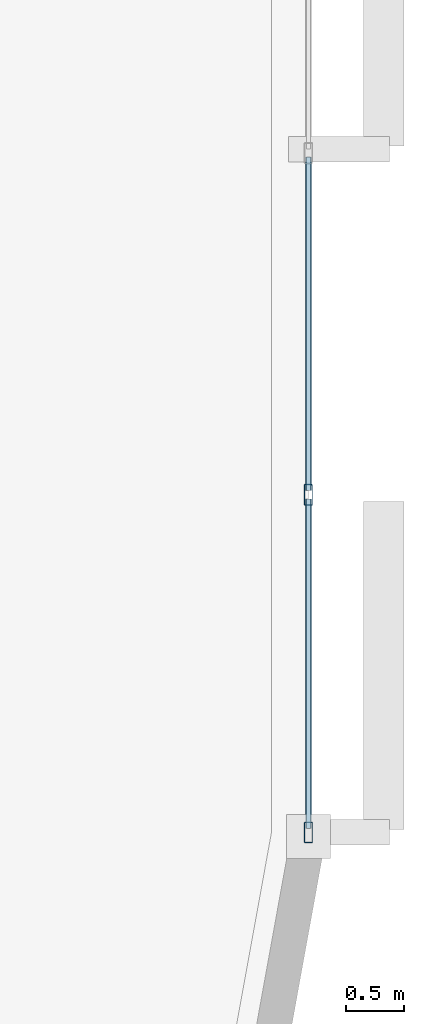
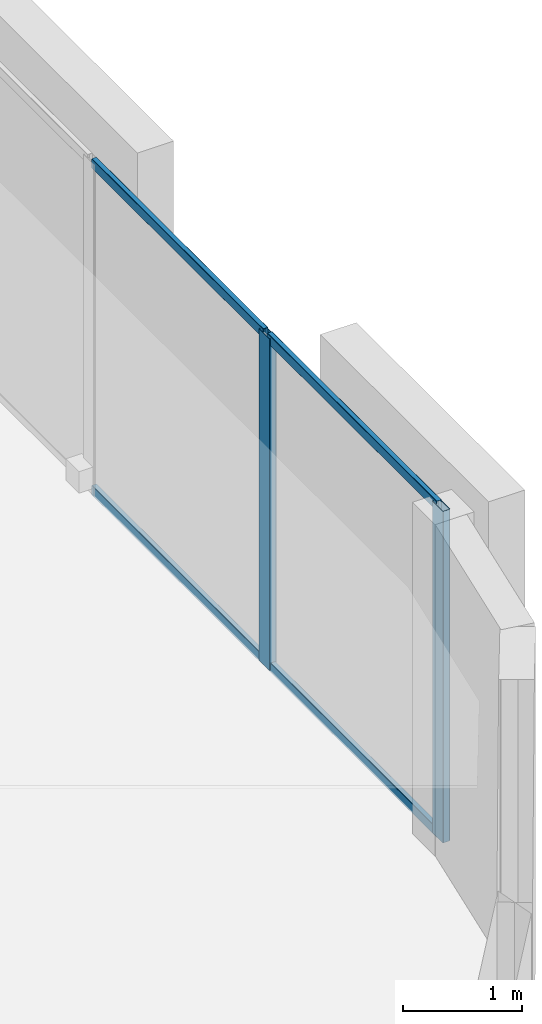
# One storey, part 4 of 13: 6 members, 1 element without a shape of its own.
"""IFC4 building model written with IfcOpenShell, lengths in metres."""

from ifc_helpers import new_model, si_unit, direction, frame, origin, origin_2d, place, context, subcontext, project, spatial, hollow_rectangle, extrude, material, layer, layer_set, material_profile, profile_set, type_object, element, aggregate, save


model = new_model("IFC4")

# Units and contexts
model_context = context("Model", 3, precision=1e-05, world=origin(), true_north=direction((0.0, 1.0)))
body_context = subcontext(model_context, "Body", "Model", "MODEL_VIEW")
ifc_project = project(units=[si_unit("LENGTHUNIT", "METRE"), si_unit("AREAUNIT", "SQUARE_METRE"), si_unit("VOLUMEUNIT", "CUBIC_METRE"), si_unit("PLANEANGLEUNIT", "RADIAN"), si_unit("MASSUNIT", "GRAM", prefix="KILO")], contexts=[model_context])

# Site, building, storey
site_placement = place(None, origin())
site = spatial("IfcSite", under=ifc_project, at=site_placement, CompositionType="ELEMENT")
building_placement = place(site_placement, origin())
building = spatial("IfcBuilding", under=site, at=building_placement, Name="An Khanh Terracotta Commons", CompositionType="ELEMENT")
storey_placement = place(building_placement, frame((0.0, 0.0, 237.300048828125)))
storey = spatial("IfcBuildingStorey", under=building, at=storey_placement, Name="L62", CompositionType="ELEMENT", Elevation=237.300048828125)

# Curtain wall, members
ifc_material = material(Name="Anodised Aluminium 6063-T6", Category="aluminium")
ifc_layer = layer(ifc_material, 0.2099609375, Name="Anodised Aluminium 6063-T6")
ifc_layer_set = layer_set([ifc_layer], Name="Anodised Aluminium 6063-T6")
curtain_wall_type = type_object("IfcCurtainWallType", Name="CW-SYS-03", PredefinedType="USERDEFINED", material=ifc_layer_set)
curtain_wall_placement = place(storey_placement, origin())
curtain_wall = element("IfcCurtainWall", 1, at=curtain_wall_placement, inside=storey, type_object=curtain_wall_type, Name="L62 CW-03 Unitised Curtain Wall CW-L62-12", ObjectType="UNITISED CURTAIN WALL", PredefinedType="USERDEFINED")
ifc_material_profile_1 = material_profile(ifc_material, hollow_rectangle(XDim=0.070068359375, YDim=0.179931640625, WallThickness=0.00390625, InnerFilletRadius=0.00390625, OuterFilletRadius=0.008056640625, at=origin_2d()), Name="RHS180x70x4")
ifc_profile_set_1 = profile_set([ifc_material_profile_1], Name="Anodised Aluminium 6063-T6")
member_type_1 = type_object("IfcMemberType", Name="CWM-RHS180x70x4", PredefinedType="MULLION", material=ifc_profile_set_1)
member_1_placement = place(storey_placement, frame((68.60009765625, 18.135986328125, 0.0), z_axis=(0.0, 0.0, 1.0), x_axis=(-1.0, 0.0, 0.0)))
member_1 = element("IfcMember", 2, at=member_1_placement, type_object=member_type_1, Name="CW-03 mullion 1", PredefinedType="MULLION", context=body_context, shape_type="SweptSolid", body=[
    extrude(hollow_rectangle(XDim=0.070068359375, YDim=0.179931640625, WallThickness=0.00390625, InnerFilletRadius=0.00390625, OuterFilletRadius=0.008056640625, at=origin_2d()), origin(), (0.0, 0.0, 1.0), 3.39990234375),
])
member_2_placement = place(storey_placement, frame((68.60009765625, 21.050537109375, 0.0), z_axis=(0.0, 0.0, 1.0), x_axis=(-1.0, 0.0, 0.0)))
member_2 = element("IfcMember", 3, at=member_2_placement, type_object=member_type_1, Name="CW-03 mullion 2", PredefinedType="MULLION", context=body_context, shape_type="SweptSolid", body=[
    extrude(hollow_rectangle(XDim=0.070068359375, YDim=0.179931640625, WallThickness=0.00390625, InnerFilletRadius=0.00390625, OuterFilletRadius=0.008056640625, at=origin_2d()), origin(), (0.0, 0.0, 1.0), 3.39990234375),
])
ifc_material_profile_2 = material_profile(ifc_material, hollow_rectangle(XDim=0.050048828125, YDim=0.10009765625, WallThickness=0.003173828125, InnerFilletRadius=0.003173828125, OuterFilletRadius=0.00634765625, at=origin_2d()), Name="RHS100x50x3.2")
ifc_profile_set_2 = profile_set([ifc_material_profile_2], Name="Anodised Aluminium 6063-T6")
member_type_2 = type_object("IfcMemberType", Name="CWT-RHS100x50x3.2", PredefinedType="USERDEFINED", material=ifc_profile_set_2)
member_3_placement = place(storey_placement, frame((68.60009765625, 18.1708984375, 0.02490234375), z_axis=(0.0, 1.0, 0.0), x_axis=(-1.0, 0.0, 0.0)))
member_3 = element("IfcMember", 4, at=member_3_placement, type_object=member_type_2, Name="CW-03 transom 1.1", ObjectType="TRANSOM", PredefinedType="USERDEFINED", context=body_context, shape_type="SweptSolid", body=[
    extrude(hollow_rectangle(XDim=0.050048828125, YDim=0.10009765625, WallThickness=0.003173828125, InnerFilletRadius=0.003173828125, OuterFilletRadius=0.00634765625, at=origin_2d()), origin(), (0.0, 0.0, 1.0), 2.844482421875),
])
member_4_placement = place(storey_placement, frame((68.60009765625, 18.1708984375, 3.375), z_axis=(0.0, 1.0, 0.0), x_axis=(-1.0, 0.0, 0.0)))
member_4 = element("IfcMember", 5, at=member_4_placement, type_object=member_type_2, Name="CW-03 transom 1.2", ObjectType="TRANSOM", PredefinedType="USERDEFINED", context=body_context, shape_type="SweptSolid", body=[
    extrude(hollow_rectangle(XDim=0.050048828125, YDim=0.10009765625, WallThickness=0.003173828125, InnerFilletRadius=0.003173828125, OuterFilletRadius=0.00634765625, at=origin_2d()), origin(), (0.0, 0.0, 1.0), 2.844482421875),
])
member_5_placement = place(storey_placement, frame((68.60009765625, 21.08544921875, 0.02490234375), z_axis=(0.0, 1.0, 0.0), x_axis=(-1.0, 0.0, 0.0)))
member_5 = element("IfcMember", 6, at=member_5_placement, type_object=member_type_2, Name="CW-03 transom 2.1", ObjectType="TRANSOM", PredefinedType="USERDEFINED", context=body_context, shape_type="SweptSolid", body=[
    extrude(hollow_rectangle(XDim=0.050048828125, YDim=0.10009765625, WallThickness=0.003173828125, InnerFilletRadius=0.003173828125, OuterFilletRadius=0.00634765625, at=origin_2d()), origin(), (0.0, 0.0, 1.0), 2.879638671875),
])
member_6_placement = place(storey_placement, frame((68.60009765625, 21.08544921875, 3.375), z_axis=(0.0, 1.0, 0.0), x_axis=(-1.0, 0.0, 0.0)))
member_6 = element("IfcMember", 7, at=member_6_placement, type_object=member_type_2, Name="CW-03 transom 2.2", ObjectType="TRANSOM", PredefinedType="USERDEFINED", context=body_context, shape_type="SweptSolid", body=[
    extrude(hollow_rectangle(XDim=0.050048828125, YDim=0.10009765625, WallThickness=0.003173828125, InnerFilletRadius=0.003173828125, OuterFilletRadius=0.00634765625, at=origin_2d()), origin(), (0.0, 0.0, 1.0), 2.879638671875),
])
aggregate(curtain_wall, [member_1, member_2, member_3, member_4, member_5, member_6])

save(model, "model.ifc")
